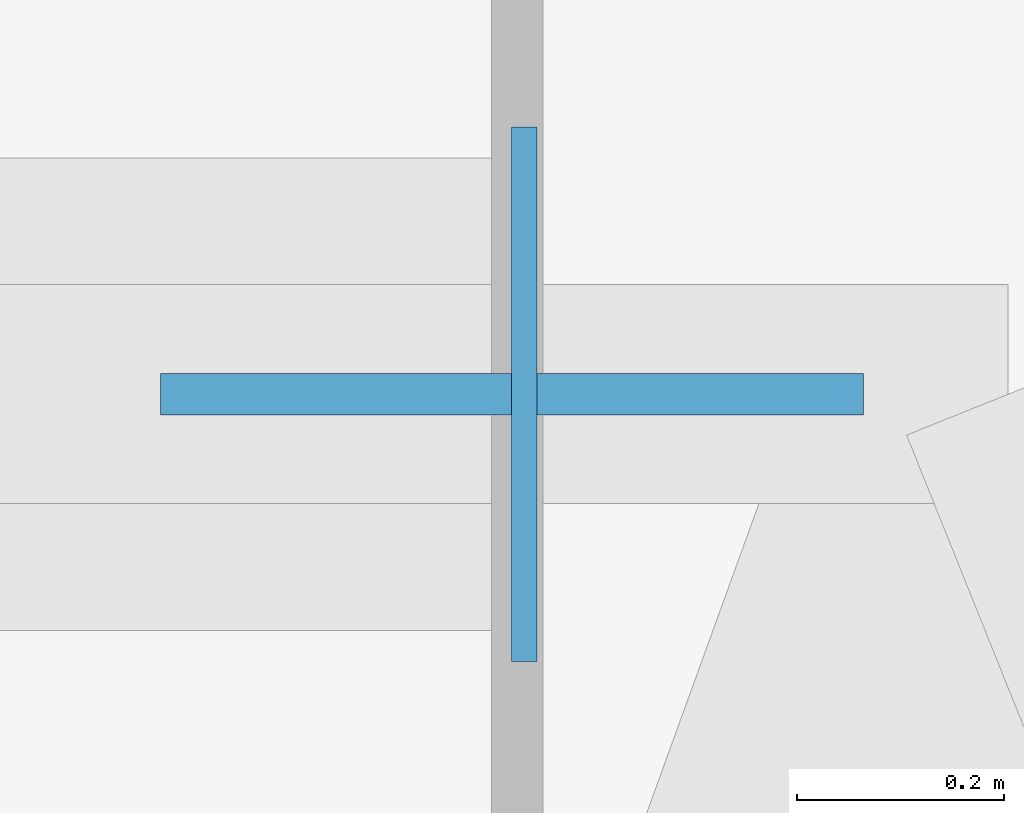
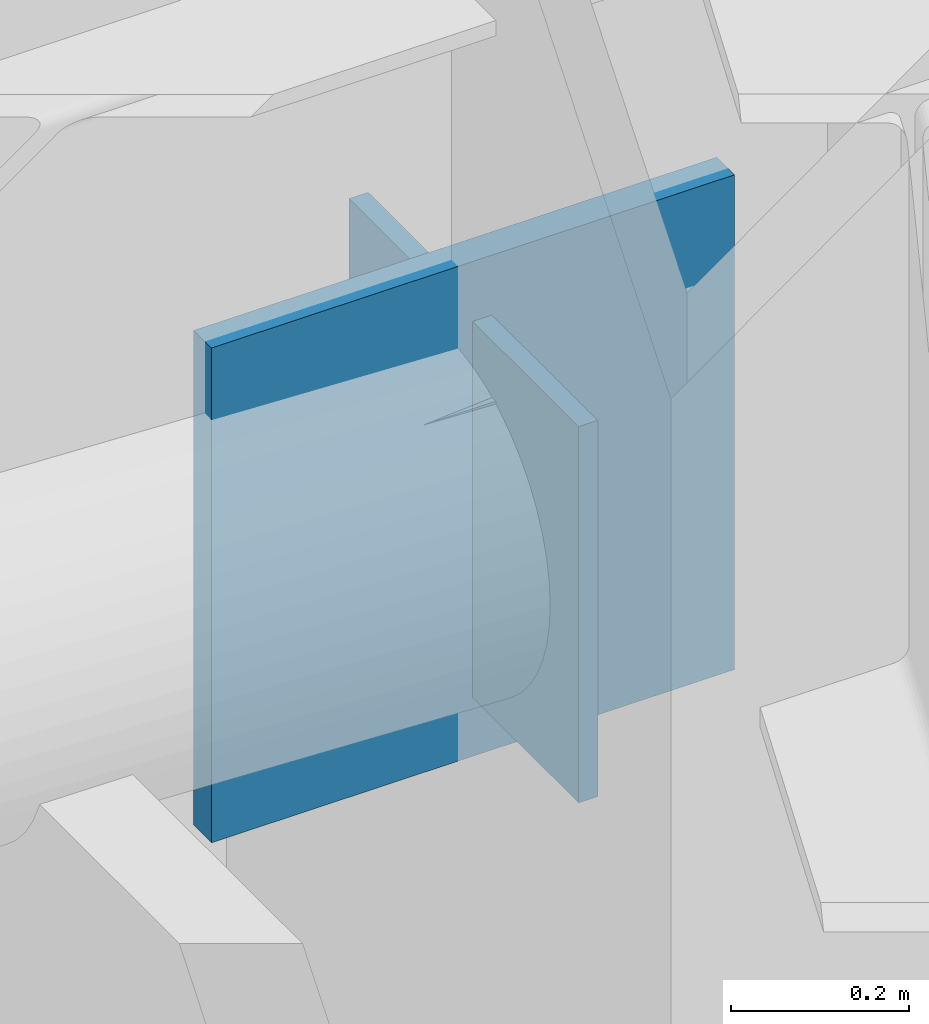
# One storey, part 4 of 11: 2 plates.
"""IFC4 building model written with IfcOpenShell, lengths in metres."""

from ifc_helpers import new_model, si_unit, direction, frame, origin, origin_2d, place, context, subcontext, project, spatial, rectangle, extrude, material, layer, layer_set, type_object, element, save


model = new_model("IFC4")

# Units and contexts
model_context = context("Model", 3, precision=1e-05, world=origin(), true_north=direction((0.0, 1.0)))
body_context = subcontext(model_context, "Body", "Model", "MODEL_VIEW")
ifc_project = project(units=[si_unit("LENGTHUNIT", "METRE"), si_unit("AREAUNIT", "SQUARE_METRE"), si_unit("VOLUMEUNIT", "CUBIC_METRE"), si_unit("PLANEANGLEUNIT", "RADIAN"), si_unit("MASSUNIT", "GRAM", prefix="KILO")], contexts=[model_context])

# Site, building, storey
site_placement = place(None, origin())
site = spatial("IfcSite", under=ifc_project, at=site_placement, CompositionType="ELEMENT")
building_placement = place(site_placement, origin())
building = spatial("IfcBuilding", under=site, at=building_placement, Name="Khamvora Tower", CompositionType="ELEMENT")
storey_placement = place(building_placement, frame((0.0, 0.0, 116.5)))
storey = spatial("IfcBuildingStorey", under=building, at=storey_placement, Name="L29", CompositionType="ELEMENT", Elevation=116.5)

# Plates
ifc_material_1 = material(Name="Steel S355", Category="steel")
ifc_layer_1 = layer(ifc_material_1, 0.02490234375)
ifc_layer_set_1 = layer_set([ifc_layer_1], Name="Steel S355")
plate_type_1 = type_object("IfcPlateType", Name="PL-CAP-25", PredefinedType="SHEET", material=ifc_layer_set_1)
plate_1_placement = place(storey_placement, frame((49.48193359375, 47.300048828125, 2.4404296875), z_axis=(0.0, 0.0, 1.0), x_axis=(-1.0, 0.0, 0.0)))
element("IfcPlate", 1, at=plate_1_placement, inside=storey, type_object=plate_type_1, Name="L29 hollow section steel end cap plate 0762", PredefinedType="SHEET", context=body_context, shape_type="SweptSolid", body=[
    extrude(rectangle(XDim=0.02490234375, YDim=0.51708984375, at=origin_2d()), origin(), (0.0, 0.0, 1.0), 0.51708984375),
])
ifc_material_2 = material(Name="Steel S460", Category="steel")
ifc_layer_2 = layer(ifc_material_2, 0.0400390625)
ifc_layer_set_2 = layer_set([ifc_layer_2], Name="Steel S460")
plate_type_2 = type_object("IfcPlateType", Name="PLT-GUS-40", PredefinedType="SHEET", material=ifc_layer_set_2)
plate_2_placement = place(storey_placement, frame((49.469970703125, 47.300048828125, 2.35986328125), z_axis=(0.0, 0.0, 1.0), x_axis=(1.0, 0.0, 0.0)))
element("IfcPlate", 2, at=plate_2_placement, inside=storey, type_object=plate_type_2, Name="L29 brace connection node gusset plate 0195", PredefinedType="SHEET", context=body_context, shape_type="SweptSolid", body=[
    extrude(rectangle(XDim=0.679931640625, YDim=0.0400390625, at=origin_2d()), origin(), (0.0, 0.0, 1.0), 0.679931640625),
])

save(model, "model.ifc")
